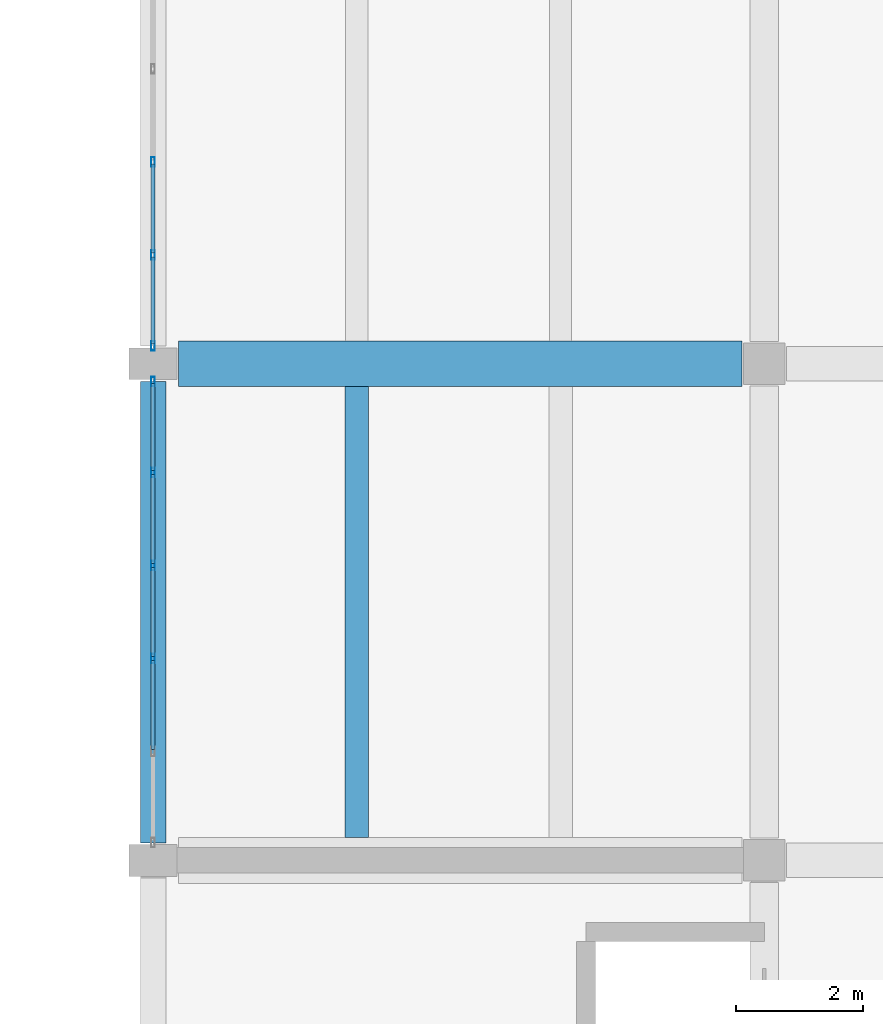
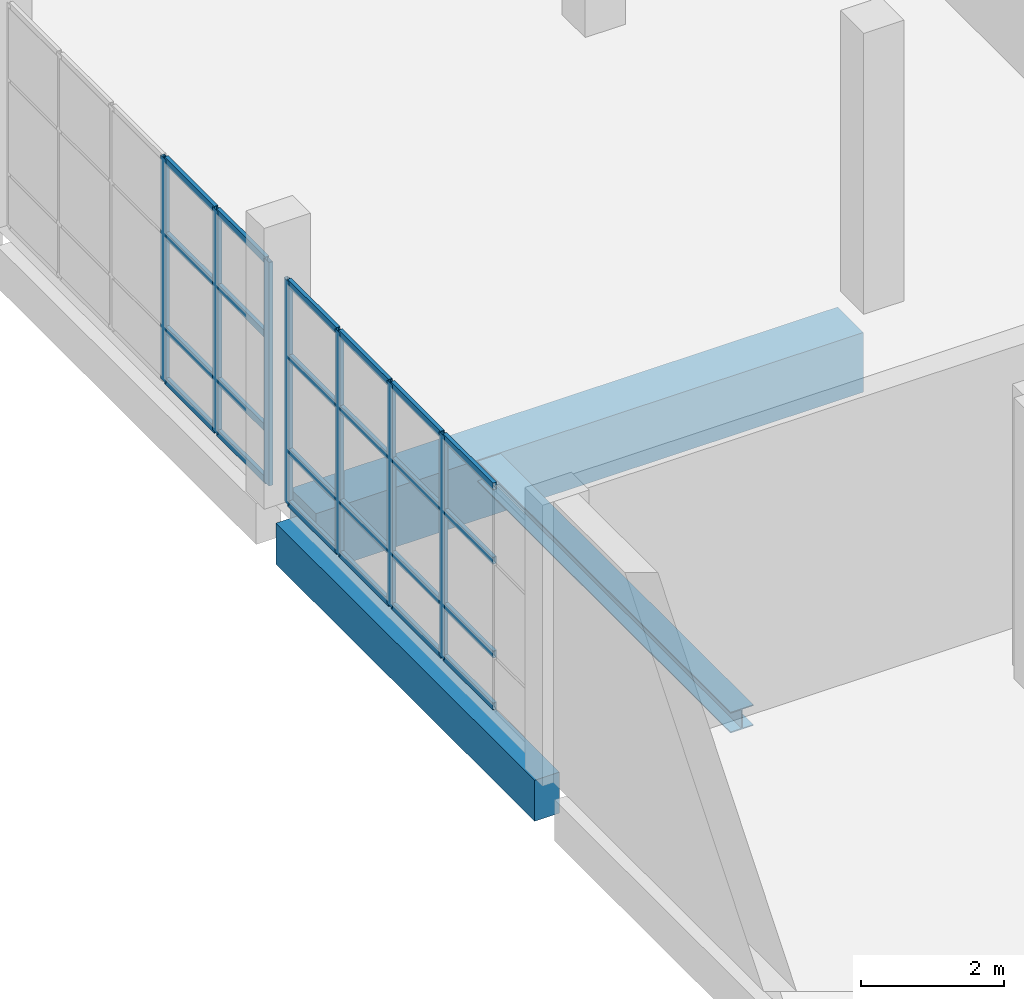
# One storey, part 38 of 79: 31 members, 3 beams, 2 elements without a shape of their own.
"""IFC4 building model written with IfcOpenShell, lengths in metres."""

import ifcopenshell
import ifcopenshell.guid

model = None  # the IFC model being written
_history = None  # IfcOwnerHistory: only IFC2X3 demands one
_inside = {}  # id of a spatial element -> (the spatial element, [elements in it])
_under = {}  # id of a project, library or spatial element -> (it, [spatial elements below it])
_declared = {}  # id of a project -> (the project, [libraries it declares])
_typed = {}  # id of a type object -> (the type object, [elements of that type])
_made_of = {}  # id of a material, layer set ... -> (it, [elements and type objects made of it])


def new_model(schema):
    """Start an empty IFC model of exactly this schema.

    Asked for "IFC4X3", IfcOpenShell would pick the latest addendum, in which some entities
    have other attributes; the version numbers below select the first issue.
    IFC2X3 requires an IfcOwnerHistory on every rooted entity: one is made here for all.
    """
    global model, _history
    if schema == "IFC4X3":
        model = ifcopenshell.file(schema_version=(4, 3, 0, 0))
    else:
        model = ifcopenshell.file(schema=schema)
    _inside.clear()
    _under.clear()
    _declared.clear()
    _typed.clear()
    _made_of.clear()
    _history = None
    if model.schema == "IFC2X3":
        org = make("IfcOrganization", Name="unknown")
        user = make(
            "IfcPersonAndOrganization",
            ThePerson=make("IfcPerson", FamilyName="unknown"),
            TheOrganization=org,
        )
        app = make(
            "IfcApplication",
            ApplicationDeveloper=org,
            Version="unknown",
            ApplicationFullName="unknown",
            ApplicationIdentifier="unknown",
        )
        _history = make(
            "IfcOwnerHistory",
            OwningUser=user,
            OwningApplication=app,
            ChangeAction="ADDED",
            CreationDate=0,
        )
    return model


def make(cls, **values):
    """One entity of the class cls with the attributes given. An attribute that is None is left unset."""
    return model.create_entity(
        cls, **{name: value for name, value in values.items() if value is not None}
    )


def rooted(cls, **values):
    """An entity with a GlobalId (a new one), such as an element, a storey or a relation."""
    return make(cls, GlobalId=ifcopenshell.guid.new(), OwnerHistory=_history, **values)


def si_unit(unit_type, name, prefix=None):
    """IfcSIUnit, for example si_unit("LENGTHUNIT", "METRE", prefix="MILLI")."""
    return make("IfcSIUnit", UnitType=unit_type, Prefix=prefix, Name=name)


def assignment(units):
    """IfcUnitAssignment: the units of a project."""
    return None if units is None else make("IfcUnitAssignment", Units=units)


def point(xyz):
    """IfcCartesianPoint."""
    return None if xyz is None else make("IfcCartesianPoint", Coordinates=xyz)


def direction(xyz):
    """IfcDirection."""
    return None if xyz is None else make("IfcDirection", DirectionRatios=xyz)


def frame(location, z_axis=None, x_axis=None):
    """IfcAxis2Placement3D, a coordinate frame: its origin and axes. An axis left out is left unset."""
    return make(
        "IfcAxis2Placement3D",
        Location=point(location),
        Axis=direction(z_axis),
        RefDirection=direction(x_axis),
    )


def frame_2d(location, x_axis=None):
    """IfcAxis2Placement2D, a coordinate frame in the plane: its origin and x axis."""
    return make(
        "IfcAxis2Placement2D", Location=point(location), RefDirection=direction(x_axis)
    )


def origin():
    """The frame at (0, 0, 0) with its axes left unset."""
    return frame((0.0, 0.0, 0.0))


def origin_2d():
    """The frame at (0, 0) in the plane with its x axis left unset."""
    return frame_2d((0.0, 0.0))


def place(relative_to, where):
    """IfcLocalPlacement: puts the frame where relative to a parent placement (None: the world)."""
    return make(
        "IfcLocalPlacement", PlacementRelTo=relative_to, RelativePlacement=where
    )


def context(
    kind, dimensions, precision=None, world=None, true_north=None, identifier=None
):
    """IfcGeometricRepresentationContext, for example the 3D "Model" context."""
    return make(
        "IfcGeometricRepresentationContext",
        ContextIdentifier=identifier,
        ContextType=kind,
        CoordinateSpaceDimension=dimensions,
        Precision=precision,
        WorldCoordinateSystem=world,
        TrueNorth=true_north,
    )


def subcontext(parent, identifier, kind, view, scale=None):
    """IfcGeometricRepresentationSubContext, for example "Body" below "Model"."""
    return make(
        "IfcGeometricRepresentationSubContext",
        ContextIdentifier=identifier,
        ContextType=kind,
        ParentContext=parent,
        TargetScale=scale,
        TargetView=view,
    )


def project(units=None, contexts=None):
    """IfcProject with its units and contexts."""
    return rooted(
        "IfcProject",
        Name="project",
        RepresentationContexts=contexts,
        UnitsInContext=assignment(units),
    )


def spatial(cls, under=None, at=None, **own):
    """A site, building, storey or space (cls), placed at a placement, below another one or the project."""
    s = rooted(cls, ObjectPlacement=at, **own)
    if under is not None:
        _under.setdefault(under.id(), (under, []))[1].append(s)
    return s


def profile(cls, at=None, kind="AREA", **sizes):
    """A parametric profile (cls). Its sizes go by their IFC names, for example OverallWidth=200.0."""
    return make(cls, ProfileType=kind, Position=at, **sizes)


def rectangle(**sizes):
    """IfcRectangleProfileDef."""
    return profile("IfcRectangleProfileDef", **sizes)


def hollow_rectangle(**sizes):
    """IfcRectangleHollowProfileDef."""
    return profile("IfcRectangleHollowProfileDef", **sizes)


def i_section(**sizes):
    """IfcIShapeProfileDef."""
    return profile("IfcIShapeProfileDef", **sizes)


def extrude(swept, where, along, depth):
    """IfcExtrudedAreaSolid: the profile swept, set in the frame where, extruded along a direction by depth."""
    return make(
        "IfcExtrudedAreaSolid",
        SweptArea=swept,
        Position=where,
        ExtrudedDirection=direction(along),
        Depth=depth,
    )


def shape(context_of_items, identifier, shape_type, items):
    """IfcShapeRepresentation: the items that make up one representation, for example the "Body"."""
    return make(
        "IfcShapeRepresentation",
        ContextOfItems=context_of_items,
        RepresentationIdentifier=identifier,
        RepresentationType=shape_type,
        Items=items,
    )


def material(Name=None, Category=None):
    """IfcMaterial."""
    return make("IfcMaterial", Name=Name, Category=Category)


def material_profile(
    of_material, cross_section, Name=None, Category=None, Priority=None
):
    """IfcMaterialProfile: a cross section and its material."""
    return make(
        "IfcMaterialProfile",
        Name=Name,
        Material=of_material,
        Profile=cross_section,
        Priority=Priority,
        Category=Category,
    )


def profile_set(profiles, Name=None, composite=None):
    """IfcMaterialProfileSet."""
    return make(
        "IfcMaterialProfileSet",
        Name=Name,
        MaterialProfiles=profiles,
        CompositeProfile=composite,
    )


def made_of(thing, what):
    """Note that an element or type object is made of a material, layer set ...; save() writes the relation."""
    if what is not None:
        _made_of.setdefault(what.id(), (what, []))[1].append(thing)
    return thing


def type_object(cls, material=None, **own):
    """A type object (cls), such as IfcWallType, which elements share."""
    return made_of(rooted(cls, **own), material)


def element(
    cls,
    number,
    at=None,
    inside=None,
    cuts=None,
    type_object=None,
    material=None,
    context=None,
    identifier="Body",
    shape_type=None,
    held_by="IfcProductDefinitionShape",
    body=None,
    shapes=None,
    **own,
):
    """One element of the class cls, such as IfcWall. Its Tag is "e" and its number.

    at: its placement. inside: the storey or other place that contains it. cuts: it is an
    opening in that element (IfcRelVoidsElement). A single representation is given by context,
    identifier, shape_type and body (its items); several are given by shapes. held_by: the class
    of the entity that holds the representations. save() writes the other relations.
    """
    e = rooted(cls, Tag="e%d" % number, ObjectPlacement=at, **own)
    if body is not None:
        shapes = [shape(context, identifier, shape_type, body)]
    if shapes is not None:
        e.Representation = make(held_by, Representations=shapes)
    if inside is not None:
        _inside.setdefault(inside.id(), (inside, []))[1].append(e)
    if cuts is not None:
        rooted(
            "IfcRelVoidsElement", RelatingBuildingElement=cuts, RelatedOpeningElement=e
        )
    if type_object is not None:
        _typed.setdefault(type_object.id(), (type_object, []))[1].append(e)
    return made_of(e, material)


def aggregate(whole, parts):
    """IfcRelAggregates: a whole, such as a stair, and the parts it consists of."""
    return rooted("IfcRelAggregates", RelatingObject=whole, RelatedObjects=parts)


def save(model, path):
    """Write the relations noted so far, then the file.

    IfcRelAggregates (storeys below a building ...), IfcRelContainedInSpatialStructure (elements
    in a storey), IfcRelDefinesByType, IfcRelAssociatesMaterial and IfcRelDeclares: one each for
    every whole, place, type object, material and project.
    """
    for whole, parts in _under.values():
        aggregate(whole, parts)
    for where, things in _inside.values():
        rooted(
            "IfcRelContainedInSpatialStructure",
            RelatedElements=things,
            RelatingStructure=where,
        )
    for kind, things in _typed.values():
        rooted("IfcRelDefinesByType", RelatedObjects=things, RelatingType=kind)
    for what, things in _made_of.values():
        rooted("IfcRelAssociatesMaterial", RelatedObjects=things, RelatingMaterial=what)
    for by, libraries in _declared.values():
        rooted("IfcRelDeclares", RelatingContext=by, RelatedDefinitions=libraries)
    model.write(path)


model = new_model("IFC4")

# Units and contexts
model_context = context("Model", 3, precision=1e-05, world=origin(), true_north=direction((0.0, 1.0)))
body_context = subcontext(model_context, "Body", "Model", "MODEL_VIEW")
ifc_project = project(units=[si_unit("LENGTHUNIT", "METRE"), si_unit("AREAUNIT", "SQUARE_METRE"), si_unit("VOLUMEUNIT", "CUBIC_METRE"), si_unit("PLANEANGLEUNIT", "RADIAN"), si_unit("MASSUNIT", "GRAM", prefix="KILO")], contexts=[model_context])

# Site, building, storey
site_placement = place(None, origin())
site = spatial("IfcSite", under=ifc_project, at=site_placement, CompositionType="ELEMENT")
building_placement = place(site_placement, origin())
building = spatial("IfcBuilding", under=site, at=building_placement, Name="Pellamere Symphony Hall", CompositionType="ELEMENT")
storey_placement = place(building_placement, frame((0.0, 0.0, 10.199951171875)))
storey = spatial("IfcBuildingStorey", under=building, at=storey_placement, Name="L02", CompositionType="ELEMENT", Elevation=10.199951171875)

# Curtain wall, members
ifc_material_1 = material(Name="Thermally Broken Anodised Aluminium 6063-T6 Curtain Wall", Category="aluminium")
curtain_wall_type = type_object("IfcCurtainWallType", Name="Curtain Wall CW-05 (Artists Wing North Studio Ribbon Curtain Wall)", PredefinedType="NOTDEFINED", material=ifc_material_1)
curtain_wall_1_placement = place(storey_placement, origin())
curtain_wall_1 = element("IfcCurtainWall", 1, at=curtain_wall_1_placement, inside=storey, type_object=curtain_wall_type, Name="Sculpture Court East Wing Curtain Wall (L02 Bay 1)", PredefinedType="NOTDEFINED")
ifc_material_2 = material(Name="Anodised Architectural Aluminium 6063-T6", Category="aluminium")
ifc_material_profile_1 = material_profile(ifc_material_2, hollow_rectangle(XDim=0.06005859375, YDim=0.14990234375, WallThickness=0.00390625, at=origin_2d()), Name="ALU-M60X150X4")
ifc_profile_set_1 = profile_set([ifc_material_profile_1], Name="Anodised Architectural Aluminium 6063-T6")
member_type_1 = type_object("IfcMemberType", Name="Curtain Wall Mullion ML-03 ALU-M60X150X4", PredefinedType="MULLION", material=ifc_profile_set_1)
member_1_placement = place(storey_placement, frame((138.0, 64.969970703125, 0.0), z_axis=(0.0, 0.0, 1.0), x_axis=(-1.0, 0.0, 0.0)))
member_1 = element("IfcMember", 2, at=member_1_placement, type_object=member_type_1, Name="CW5-137 crystal mullion 3", PredefinedType="MULLION", context=body_context, shape_type="SweptSolid", body=[
    extrude(hollow_rectangle(XDim=0.06005859375, YDim=0.14990234375, WallThickness=0.00390625, at=origin_2d()), origin(), (0.0, 0.0, 1.0), 3.820068359375),
])
member_2_placement = place(storey_placement, frame((138.0, 66.429931640625, 0.0), z_axis=(0.0, 0.0, 1.0), x_axis=(-1.0, 0.0, 0.0)))
member_2 = element("IfcMember", 3, at=member_2_placement, type_object=member_type_1, Name="CW5-137 crystal mullion 4", PredefinedType="MULLION", context=body_context, shape_type="SweptSolid", body=[
    extrude(hollow_rectangle(XDim=0.06005859375, YDim=0.14990234375, WallThickness=0.00390625, at=origin_2d()), origin(), (0.0, 0.0, 1.0), 3.820068359375),
])
member_3_placement = place(storey_placement, frame((138.0, 67.889892578125, 0.0), z_axis=(0.0, 0.0, 1.0), x_axis=(-1.0, 0.0, 0.0)))
member_3 = element("IfcMember", 4, at=member_3_placement, type_object=member_type_1, Name="CW5-137 crystal mullion 5", PredefinedType="MULLION", context=body_context, shape_type="SweptSolid", body=[
    extrude(hollow_rectangle(XDim=0.06005859375, YDim=0.14990234375, WallThickness=0.00390625, at=origin_2d()), origin(), (0.0, 0.0, 1.0), 3.820068359375),
])
member_4_placement = place(storey_placement, frame((138.0, 69.320068359375, 0.0), z_axis=(0.0, 0.0, 1.0), x_axis=(-1.0, 0.0, 0.0)))
member_4 = element("IfcMember", 5, at=member_4_placement, type_object=member_type_1, Name="CW5-137 crystal mullion 6", PredefinedType="MULLION", context=body_context, shape_type="SweptSolid", body=[
    extrude(hollow_rectangle(XDim=0.06005859375, YDim=0.14990234375, WallThickness=0.00390625, at=origin_2d()), origin(), (0.0, 0.0, 1.0), 3.820068359375),
])

curtain_wall_2_placement = place(storey_placement, origin())
curtain_wall_2 = element("IfcCurtainWall", 6, at=curtain_wall_2_placement, inside=storey, type_object=curtain_wall_type, Name="Sculpture Court East Wing Curtain Wall (L02 Bay 2)", PredefinedType="NOTDEFINED")
member_5_placement = place(storey_placement, frame((138.0, 69.8798828125, 0.0), z_axis=(0.0, 0.0, 1.0), x_axis=(-1.0, 0.0, 0.0)))
member_5 = element("IfcMember", 7, at=member_5_placement, type_object=member_type_1, Name="CW5-138 crystal mullion 1", PredefinedType="MULLION", context=body_context, shape_type="SweptSolid", body=[
    extrude(hollow_rectangle(XDim=0.06005859375, YDim=0.14990234375, WallThickness=0.00390625, at=origin_2d()), origin(), (0.0, 0.0, 1.0), 3.820068359375),
])
member_6_placement = place(storey_placement, frame((138.0, 71.31005859375, 0.0), z_axis=(0.0, 0.0, 1.0), x_axis=(-1.0, 0.0, 0.0)))
member_6 = element("IfcMember", 8, at=member_6_placement, type_object=member_type_1, Name="CW5-138 crystal mullion 2", PredefinedType="MULLION", context=body_context, shape_type="SweptSolid", body=[
    extrude(hollow_rectangle(XDim=0.06005859375, YDim=0.14990234375, WallThickness=0.00390625, at=origin_2d()), origin(), (0.0, 0.0, 1.0), 3.820068359375),
])
member_7_placement = place(storey_placement, frame((138.0, 72.77001953125, 0.0), z_axis=(0.0, 0.0, 1.0), x_axis=(-1.0, 0.0, 0.0)))
member_7 = element("IfcMember", 9, at=member_7_placement, type_object=member_type_1, Name="CW5-138 crystal mullion 3", PredefinedType="MULLION", context=body_context, shape_type="SweptSolid", body=[
    extrude(hollow_rectangle(XDim=0.06005859375, YDim=0.14990234375, WallThickness=0.00390625, at=origin_2d()), origin(), (0.0, 0.0, 1.0), 3.820068359375),
])

# Member
ifc_material_profile_2 = material_profile(ifc_material_2, hollow_rectangle(XDim=0.06005859375, YDim=0.1201171875, WallThickness=0.00390625, at=origin_2d()), Name="ALU-T60X120X4")
ifc_profile_set_2 = profile_set([ifc_material_profile_2], Name="Anodised Architectural Aluminium 6063-T6")
member_type_2 = type_object("IfcMemberType", Name="Curtain Wall Transom TR-03 ALU-T60X120X4", PredefinedType="USERDEFINED", material=ifc_profile_set_2)
member_8_placement = place(storey_placement, frame((138.0, 63.5400390625, 0.030029296875), z_axis=(0.0, 1.0, 0.0), x_axis=(-1.0, 0.0, 0.0)))
member_8 = element("IfcMember", 10, at=member_8_placement, type_object=member_type_2, Name="CW5-137 crystal transom 2.1", ObjectType="TRANSOM", PredefinedType="USERDEFINED", context=body_context, shape_type="SweptSolid", body=[
    extrude(hollow_rectangle(XDim=0.06005859375, YDim=0.1201171875, WallThickness=0.00390625, at=origin_2d()), origin(), (0.0, 0.0, 1.0), 1.39990234375),
])

member_9_placement = place(storey_placement, frame((138.0, 63.5400390625, 0.916748046875), z_axis=(0.0, 1.0, 0.0), x_axis=(-1.0, 0.0, 0.0)))
member_9 = element("IfcMember", 11, at=member_9_placement, type_object=member_type_2, Name="CW5-137 crystal transom 2.2", ObjectType="TRANSOM", PredefinedType="USERDEFINED", context=body_context, shape_type="SweptSolid", body=[
    extrude(hollow_rectangle(XDim=0.06005859375, YDim=0.1201171875, WallThickness=0.00390625, at=origin_2d()), origin(), (0.0, 0.0, 1.0), 1.39990234375),
])

member_10_placement = place(storey_placement, frame((138.0, 63.5400390625, 2.521240234375), z_axis=(0.0, 1.0, 0.0), x_axis=(-1.0, 0.0, 0.0)))
member_10 = element("IfcMember", 12, at=member_10_placement, type_object=member_type_2, Name="CW5-137 crystal transom 2.3", ObjectType="TRANSOM", PredefinedType="USERDEFINED", context=body_context, shape_type="SweptSolid", body=[
    extrude(hollow_rectangle(XDim=0.06005859375, YDim=0.1201171875, WallThickness=0.00390625, at=origin_2d()), origin(), (0.0, 0.0, 1.0), 1.39990234375),
])

member_11_placement = place(storey_placement, frame((138.0, 63.5400390625, 3.7900390625), z_axis=(0.0, 1.0, 0.0), x_axis=(-1.0, 0.0, 0.0)))
member_11 = element("IfcMember", 13, at=member_11_placement, type_object=member_type_2, Name="CW5-137 crystal transom 2.4", ObjectType="TRANSOM", PredefinedType="USERDEFINED", context=body_context, shape_type="SweptSolid", body=[
    extrude(hollow_rectangle(XDim=0.06005859375, YDim=0.1201171875, WallThickness=0.00390625, at=origin_2d()), origin(), (0.0, 0.0, 1.0), 1.39990234375),
])

member_12_placement = place(storey_placement, frame((138.0, 65.0, 0.030029296875), z_axis=(0.0, 1.0, 0.0), x_axis=(-1.0, 0.0, 0.0)))
member_12 = element("IfcMember", 14, at=member_12_placement, type_object=member_type_2, Name="CW5-137 crystal transom 3.1", ObjectType="TRANSOM", PredefinedType="USERDEFINED", context=body_context, shape_type="SweptSolid", body=[
    extrude(hollow_rectangle(XDim=0.06005859375, YDim=0.1201171875, WallThickness=0.00390625, at=origin_2d()), origin(), (0.0, 0.0, 1.0), 1.39990234375),
])

member_13_placement = place(storey_placement, frame((138.0, 65.0, 0.916748046875), z_axis=(0.0, 1.0, 0.0), x_axis=(-1.0, 0.0, 0.0)))
member_13 = element("IfcMember", 15, at=member_13_placement, type_object=member_type_2, Name="CW5-137 crystal transom 3.2", ObjectType="TRANSOM", PredefinedType="USERDEFINED", context=body_context, shape_type="SweptSolid", body=[
    extrude(hollow_rectangle(XDim=0.06005859375, YDim=0.1201171875, WallThickness=0.00390625, at=origin_2d()), origin(), (0.0, 0.0, 1.0), 1.39990234375),
])

member_14_placement = place(storey_placement, frame((138.0, 65.0, 2.521240234375), z_axis=(0.0, 1.0, 0.0), x_axis=(-1.0, 0.0, 0.0)))
member_14 = element("IfcMember", 16, at=member_14_placement, type_object=member_type_2, Name="CW5-137 crystal transom 3.3", ObjectType="TRANSOM", PredefinedType="USERDEFINED", context=body_context, shape_type="SweptSolid", body=[
    extrude(hollow_rectangle(XDim=0.06005859375, YDim=0.1201171875, WallThickness=0.00390625, at=origin_2d()), origin(), (0.0, 0.0, 1.0), 1.39990234375),
])

member_15_placement = place(storey_placement, frame((138.0, 65.0, 3.7900390625), z_axis=(0.0, 1.0, 0.0), x_axis=(-1.0, 0.0, 0.0)))
member_15 = element("IfcMember", 17, at=member_15_placement, type_object=member_type_2, Name="CW5-137 crystal transom 3.4", ObjectType="TRANSOM", PredefinedType="USERDEFINED", context=body_context, shape_type="SweptSolid", body=[
    extrude(hollow_rectangle(XDim=0.06005859375, YDim=0.1201171875, WallThickness=0.00390625, at=origin_2d()), origin(), (0.0, 0.0, 1.0), 1.39990234375),
])

member_16_placement = place(storey_placement, frame((138.0, 66.4599609375, 0.030029296875), z_axis=(0.0, 1.0, 0.0), x_axis=(-1.0, 0.0, 0.0)))
member_16 = element("IfcMember", 18, at=member_16_placement, type_object=member_type_2, Name="CW5-137 crystal transom 4.1", ObjectType="TRANSOM", PredefinedType="USERDEFINED", context=body_context, shape_type="SweptSolid", body=[
    extrude(hollow_rectangle(XDim=0.06005859375, YDim=0.1201171875, WallThickness=0.00390625, at=origin_2d()), origin(), (0.0, 0.0, 1.0), 1.400146484375),
])

member_17_placement = place(storey_placement, frame((138.0, 66.4599609375, 0.916748046875), z_axis=(0.0, 1.0, 0.0), x_axis=(-1.0, 0.0, 0.0)))
member_17 = element("IfcMember", 19, at=member_17_placement, type_object=member_type_2, Name="CW5-137 crystal transom 4.2", ObjectType="TRANSOM", PredefinedType="USERDEFINED", context=body_context, shape_type="SweptSolid", body=[
    extrude(hollow_rectangle(XDim=0.06005859375, YDim=0.1201171875, WallThickness=0.00390625, at=origin_2d()), origin(), (0.0, 0.0, 1.0), 1.400146484375),
])

member_18_placement = place(storey_placement, frame((138.0, 66.4599609375, 2.521240234375), z_axis=(0.0, 1.0, 0.0), x_axis=(-1.0, 0.0, 0.0)))
member_18 = element("IfcMember", 20, at=member_18_placement, type_object=member_type_2, Name="CW5-137 crystal transom 4.3", ObjectType="TRANSOM", PredefinedType="USERDEFINED", context=body_context, shape_type="SweptSolid", body=[
    extrude(hollow_rectangle(XDim=0.06005859375, YDim=0.1201171875, WallThickness=0.00390625, at=origin_2d()), origin(), (0.0, 0.0, 1.0), 1.400146484375),
])

member_19_placement = place(storey_placement, frame((138.0, 66.4599609375, 3.7900390625), z_axis=(0.0, 1.0, 0.0), x_axis=(-1.0, 0.0, 0.0)))
member_19 = element("IfcMember", 21, at=member_19_placement, type_object=member_type_2, Name="CW5-137 crystal transom 4.4", ObjectType="TRANSOM", PredefinedType="USERDEFINED", context=body_context, shape_type="SweptSolid", body=[
    extrude(hollow_rectangle(XDim=0.06005859375, YDim=0.1201171875, WallThickness=0.00390625, at=origin_2d()), origin(), (0.0, 0.0, 1.0), 1.400146484375),
])

member_20_placement = place(storey_placement, frame((138.0, 67.919921875, 0.030029296875), z_axis=(0.0, 1.0, 0.0), x_axis=(-1.0, 0.0, 0.0)))
member_20 = element("IfcMember", 22, at=member_20_placement, type_object=member_type_2, Name="CW5-137 crystal transom 5.1", ObjectType="TRANSOM", PredefinedType="USERDEFINED", context=body_context, shape_type="SweptSolid", body=[
    extrude(hollow_rectangle(XDim=0.06005859375, YDim=0.1201171875, WallThickness=0.00390625, at=origin_2d()), origin(), (0.0, 0.0, 1.0), 1.3701171875),
])

member_21_placement = place(storey_placement, frame((138.0, 67.919921875, 0.916748046875), z_axis=(0.0, 1.0, 0.0), x_axis=(-1.0, 0.0, 0.0)))
member_21 = element("IfcMember", 23, at=member_21_placement, type_object=member_type_2, Name="CW5-137 crystal transom 5.2", ObjectType="TRANSOM", PredefinedType="USERDEFINED", context=body_context, shape_type="SweptSolid", body=[
    extrude(hollow_rectangle(XDim=0.06005859375, YDim=0.1201171875, WallThickness=0.00390625, at=origin_2d()), origin(), (0.0, 0.0, 1.0), 1.3701171875),
])

member_22_placement = place(storey_placement, frame((138.0, 67.919921875, 2.521240234375), z_axis=(0.0, 1.0, 0.0), x_axis=(-1.0, 0.0, 0.0)))
member_22 = element("IfcMember", 24, at=member_22_placement, type_object=member_type_2, Name="CW5-137 crystal transom 5.3", ObjectType="TRANSOM", PredefinedType="USERDEFINED", context=body_context, shape_type="SweptSolid", body=[
    extrude(hollow_rectangle(XDim=0.06005859375, YDim=0.1201171875, WallThickness=0.00390625, at=origin_2d()), origin(), (0.0, 0.0, 1.0), 1.3701171875),
])

member_23_placement = place(storey_placement, frame((138.0, 67.919921875, 3.7900390625), z_axis=(0.0, 1.0, 0.0), x_axis=(-1.0, 0.0, 0.0)))
member_23 = element("IfcMember", 25, at=member_23_placement, type_object=member_type_2, Name="CW5-137 crystal transom 5.4", ObjectType="TRANSOM", PredefinedType="USERDEFINED", context=body_context, shape_type="SweptSolid", body=[
    extrude(hollow_rectangle(XDim=0.06005859375, YDim=0.1201171875, WallThickness=0.00390625, at=origin_2d()), origin(), (0.0, 0.0, 1.0), 1.3701171875),
])

aggregate(curtain_wall_1, [member_1, member_2, member_3, member_4, member_8, member_9, member_10, member_11, member_12, member_13, member_14, member_15, member_16, member_17, member_18, member_19, member_20, member_21, member_22, member_23])

member_24_placement = place(storey_placement, frame((138.0, 69.909912109375, 0.030029296875), z_axis=(0.0, 1.0, 0.0), x_axis=(-1.0, 0.0, 0.0)))
member_24 = element("IfcMember", 26, at=member_24_placement, type_object=member_type_2, Name="CW5-138 crystal transom 1.1", ObjectType="TRANSOM", PredefinedType="USERDEFINED", context=body_context, shape_type="SweptSolid", body=[
    extrude(hollow_rectangle(XDim=0.06005859375, YDim=0.1201171875, WallThickness=0.00390625, at=origin_2d()), origin(), (0.0, 0.0, 1.0), 1.3701171875),
])

member_25_placement = place(storey_placement, frame((138.0, 69.909912109375, 0.916748046875), z_axis=(0.0, 1.0, 0.0), x_axis=(-1.0, 0.0, 0.0)))
member_25 = element("IfcMember", 27, at=member_25_placement, type_object=member_type_2, Name="CW5-138 crystal transom 1.2", ObjectType="TRANSOM", PredefinedType="USERDEFINED", context=body_context, shape_type="SweptSolid", body=[
    extrude(hollow_rectangle(XDim=0.06005859375, YDim=0.1201171875, WallThickness=0.00390625, at=origin_2d()), origin(), (0.0, 0.0, 1.0), 1.3701171875),
])

member_26_placement = place(storey_placement, frame((138.0, 69.909912109375, 2.521240234375), z_axis=(0.0, 1.0, 0.0), x_axis=(-1.0, 0.0, 0.0)))
member_26 = element("IfcMember", 28, at=member_26_placement, type_object=member_type_2, Name="CW5-138 crystal transom 1.3", ObjectType="TRANSOM", PredefinedType="USERDEFINED", context=body_context, shape_type="SweptSolid", body=[
    extrude(hollow_rectangle(XDim=0.06005859375, YDim=0.1201171875, WallThickness=0.00390625, at=origin_2d()), origin(), (0.0, 0.0, 1.0), 1.3701171875),
])

member_27_placement = place(storey_placement, frame((138.0, 69.909912109375, 3.7900390625), z_axis=(0.0, 1.0, 0.0), x_axis=(-1.0, 0.0, 0.0)))
member_27 = element("IfcMember", 29, at=member_27_placement, type_object=member_type_2, Name="CW5-138 crystal transom 1.4", ObjectType="TRANSOM", PredefinedType="USERDEFINED", context=body_context, shape_type="SweptSolid", body=[
    extrude(hollow_rectangle(XDim=0.06005859375, YDim=0.1201171875, WallThickness=0.00390625, at=origin_2d()), origin(), (0.0, 0.0, 1.0), 1.3701171875),
])

member_28_placement = place(storey_placement, frame((138.0, 71.340087890625, 0.030029296875), z_axis=(0.0, 1.0, 0.0), x_axis=(-1.0, 0.0, 0.0)))
member_28 = element("IfcMember", 30, at=member_28_placement, type_object=member_type_2, Name="CW5-138 crystal transom 2.1", ObjectType="TRANSOM", PredefinedType="USERDEFINED", context=body_context, shape_type="SweptSolid", body=[
    extrude(hollow_rectangle(XDim=0.06005859375, YDim=0.1201171875, WallThickness=0.00390625, at=origin_2d()), origin(), (0.0, 0.0, 1.0), 1.39990234375),
])

member_29_placement = place(storey_placement, frame((138.0, 71.340087890625, 0.916748046875), z_axis=(0.0, 1.0, 0.0), x_axis=(-1.0, 0.0, 0.0)))
member_29 = element("IfcMember", 31, at=member_29_placement, type_object=member_type_2, Name="CW5-138 crystal transom 2.2", ObjectType="TRANSOM", PredefinedType="USERDEFINED", context=body_context, shape_type="SweptSolid", body=[
    extrude(hollow_rectangle(XDim=0.06005859375, YDim=0.1201171875, WallThickness=0.00390625, at=origin_2d()), origin(), (0.0, 0.0, 1.0), 1.39990234375),
])

member_30_placement = place(storey_placement, frame((138.0, 71.340087890625, 2.521240234375), z_axis=(0.0, 1.0, 0.0), x_axis=(-1.0, 0.0, 0.0)))
member_30 = element("IfcMember", 32, at=member_30_placement, type_object=member_type_2, Name="CW5-138 crystal transom 2.3", ObjectType="TRANSOM", PredefinedType="USERDEFINED", context=body_context, shape_type="SweptSolid", body=[
    extrude(hollow_rectangle(XDim=0.06005859375, YDim=0.1201171875, WallThickness=0.00390625, at=origin_2d()), origin(), (0.0, 0.0, 1.0), 1.39990234375),
])

member_31_placement = place(storey_placement, frame((138.0, 71.340087890625, 3.7900390625), z_axis=(0.0, 1.0, 0.0), x_axis=(-1.0, 0.0, 0.0)))
member_31 = element("IfcMember", 33, at=member_31_placement, type_object=member_type_2, Name="CW5-138 crystal transom 2.4", ObjectType="TRANSOM", PredefinedType="USERDEFINED", context=body_context, shape_type="SweptSolid", body=[
    extrude(hollow_rectangle(XDim=0.06005859375, YDim=0.1201171875, WallThickness=0.00390625, at=origin_2d()), origin(), (0.0, 0.0, 1.0), 1.39990234375),
])

aggregate(curtain_wall_2, [member_5, member_6, member_7, member_24, member_25, member_26, member_27, member_28, member_29, member_30, member_31])

# Beams
ifc_material_3 = material(Name="Concrete 40 MPa", Category="concrete")
ifc_material_profile_3 = material_profile(ifc_material_3, rectangle(XDim=0.39990234375, YDim=0.699951171875, at=origin_2d()), Name="RC 400x700")
ifc_profile_set_3 = profile_set([ifc_material_profile_3], Name="Concrete 40 MPa")
beam_type_1 = type_object("IfcBeamType", Name="RC CB-13 400x700", PredefinedType="SPANDREL", material=ifc_profile_set_3)
beam_1_placement = place(storey_placement, frame((138.0, 62.074951171875, -0.6298828125), z_axis=(0.0, 1.0, 0.0), x_axis=(-1.0, 0.0, 0.0)))
element("IfcBeam", 34, at=beam_1_placement, inside=storey, type_object=beam_type_1, Name="Girder CB-13-Y1349 (L02)", PredefinedType="SPANDREL", context=body_context, shape_type="SweptSolid", body=[
    extrude(rectangle(XDim=0.39990234375, YDim=0.699951171875, at=origin_2d()), origin(), (0.0, 0.0, 1.0), 7.25),
])
ifc_material_profile_4 = material_profile(ifc_material_3, rectangle(XDim=0.719970703125, YDim=1.02001953125, at=origin_2d()), Name="RC 720x1020")
ifc_profile_set_4 = profile_set([ifc_material_profile_4], Name="Concrete 40 MPa")
beam_type_2 = type_object("IfcBeamType", Name="RC CB-23 720x1020", PredefinedType="BEAM", material=ifc_profile_set_4)
beam_2_placement = place(storey_placement, frame((138.39990234375, 69.60009765625, -0.7900390625), z_axis=(1.0, 0.0, 0.0), x_axis=(0.0, 1.0, 0.0)))
element("IfcBeam", 35, at=beam_2_placement, inside=storey, type_object=beam_type_2, Name="Girder CB-23-X1150 (L02)", PredefinedType="BEAM", context=body_context, shape_type="SweptSolid", body=[
    extrude(rectangle(XDim=0.719970703125, YDim=1.02001953125, at=origin_2d()), origin(), (0.0, 0.0, 1.0), 8.85009765625),
])
ifc_material_4 = material(Name="Steel CSA G40.21 350W", Category="steel")
ifc_material_profile_5 = material_profile(ifc_material_4, i_section(OverallWidth=0.368896484375, OverallDepth=0.35595703125, WebThickness=0.01123046875, FlangeThickness=0.01806640625, at=origin_2d()), Name="W360X134")
ifc_profile_set_5 = profile_set([ifc_material_profile_5], Name="Steel CSA G40.21 350W")
beam_type_3 = type_object("IfcBeamType", Name="Steel Beam SB-28 W360X134", PredefinedType="BEAM", material=ifc_profile_set_5)
beam_3_placement = place(storey_placement, frame((141.199951171875, 62.159912109375, -0.472900390625), z_axis=(0.0, 1.0, 0.0), x_axis=(-1.0, 0.0, 0.0)))
element("IfcBeam", 36, at=beam_3_placement, inside=storey, type_object=beam_type_3, Name="Secondary Floor Beam SB-28-A1708 (L02)", PredefinedType="BEAM", context=body_context, shape_type="SweptSolid", body=[
    extrude(i_section(OverallWidth=0.368896484375, OverallDepth=0.35595703125, WebThickness=0.01123046875, FlangeThickness=0.01806640625, at=origin_2d()), origin(), (0.0, 0.0, 1.0), 7.080078125),
])

save(model, "model.ifc")
